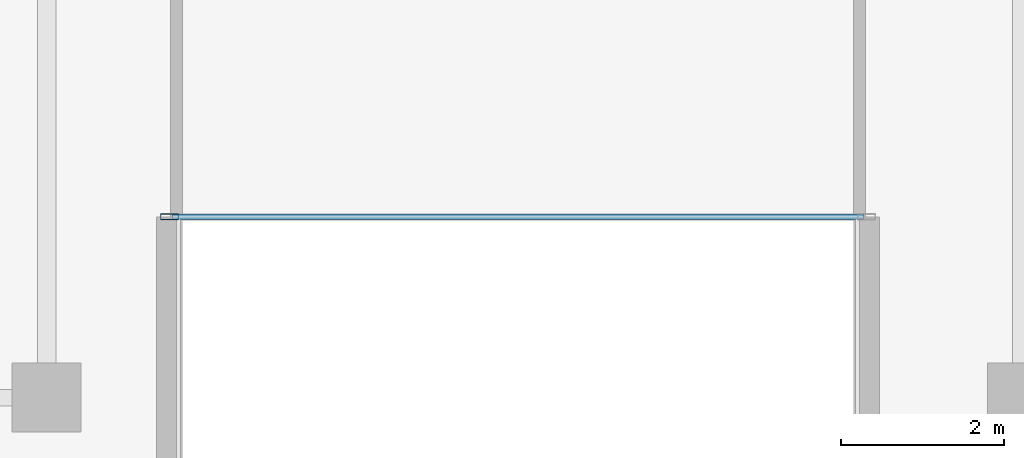
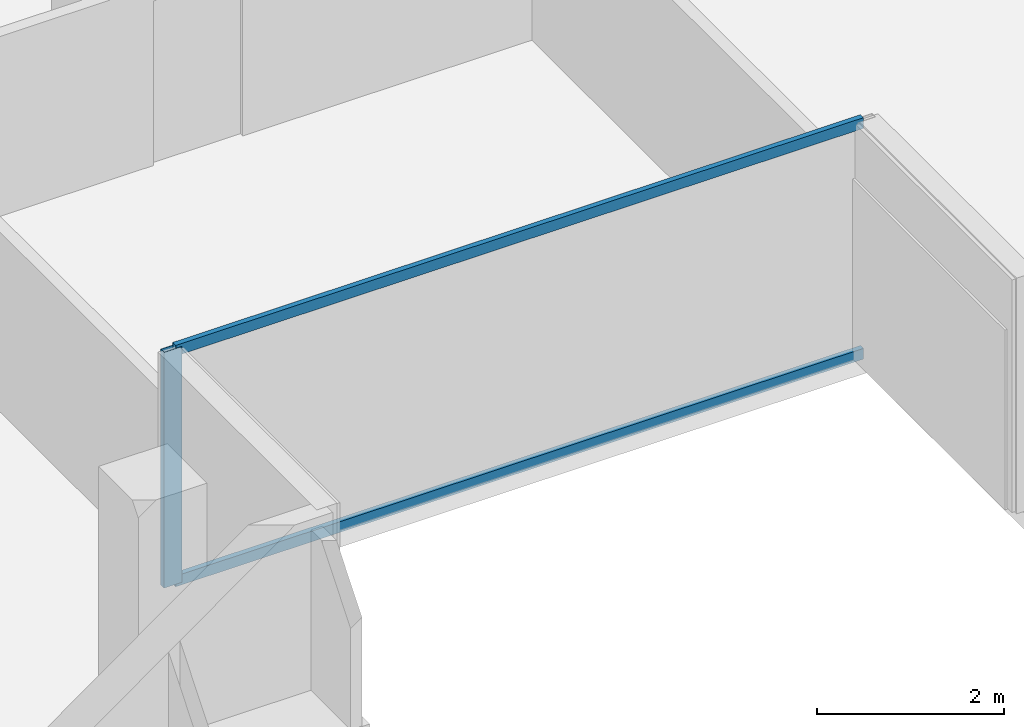
# One storey, part 2 of 19: 3 members, 1 element without a shape of its own.
"""IFC4 building model written with IfcOpenShell, lengths in metres."""

from ifc_helpers import new_model, si_unit, direction, frame, origin, origin_2d, place, context, subcontext, project, spatial, hollow_rectangle, extrude, material, layer, layer_set, material_profile, profile_set, type_object, element, aggregate, save


model = new_model("IFC4")

# Units and contexts
model_context = context("Model", 3, precision=1e-05, world=origin(), true_north=direction((0.0, 1.0)))
body_context = subcontext(model_context, "Body", "Model", "MODEL_VIEW")
ifc_project = project(units=[si_unit("LENGTHUNIT", "METRE"), si_unit("AREAUNIT", "SQUARE_METRE"), si_unit("VOLUMEUNIT", "CUBIC_METRE"), si_unit("PLANEANGLEUNIT", "RADIAN"), si_unit("MASSUNIT", "GRAM", prefix="KILO")], contexts=[model_context])

# Site, building, storey
site_placement = place(None, origin())
site = spatial("IfcSite", under=ifc_project, at=site_placement, CompositionType="ELEMENT")
building_placement = place(site_placement, origin())
building = spatial("IfcBuilding", under=site, at=building_placement, Name="Tanjung Sevakor Pilgrim Tower", CompositionType="ELEMENT")
storey_placement = place(building_placement, frame((0.0, 0.0, 155.10009765625)))
storey = spatial("IfcBuildingStorey", under=building, at=storey_placement, Name="L43", CompositionType="ELEMENT", Elevation=155.10009765625)

# Curtain wall, members
ifc_material_1 = material(Name="Aluminium 6063-T6 and Low-E Glass", Category="aluminium")
ifc_layer = layer(ifc_material_1, 0.179931640625)
ifc_layer_set = layer_set([ifc_layer], Name="CW-SYS-CLEFT")
curtain_wall_type = type_object("IfcCurtainWallType", Name="CW-SYS-CLEFT", PredefinedType="NOTDEFINED", material=ifc_layer_set)
curtain_wall_placement = place(storey_placement, origin())
curtain_wall = element("IfcCurtainWall", 1, at=curtain_wall_placement, inside=storey, type_object=curtain_wall_type, Name="L43 Curtain Wall CW-CLF-L43-2", PredefinedType="NOTDEFINED")
ifc_material_2 = material(Name="Aluminium 6063-T6", Category="aluminium")
ifc_material_profile_1 = material_profile(ifc_material_2, hollow_rectangle(XDim=0.074951171875, YDim=0.219970703125, WallThickness=0.0048828125, at=origin_2d()))
ifc_profile_set_1 = profile_set([ifc_material_profile_1], Name="Aluminium 6063-T6")
member_type_1 = type_object("IfcMemberType", Name="TYPE-CWM-2", PredefinedType="MULLION", material=ifc_profile_set_1)
member_1_placement = place(storey_placement, frame((43.512451171875, 15.425048828125, 0.0), z_axis=(0.0, 0.0, 1.0), x_axis=(0.0, 1.0, 0.0)))
member_1 = element("IfcMember", 2, at=member_1_placement, type_object=member_type_1, Name="CW-CLF mullion 1", PredefinedType="MULLION", context=body_context, shape_type="SweptSolid", body=[
    extrude(hollow_rectangle(XDim=0.074951171875, YDim=0.219970703125, WallThickness=0.0048828125, at=origin_2d()), origin(), (0.0, 0.0, 1.0), 3.079833984375),
])
ifc_material_3 = material(Name="Aluminium 6063-T6", Category="aluminium")
ifc_material_profile_2 = material_profile(ifc_material_3, hollow_rectangle(XDim=0.06494140625, YDim=0.139892578125, WallThickness=0.00390625, at=origin_2d()))
ifc_profile_set_2 = profile_set([ifc_material_profile_2], Name="Aluminium 6063-T6")
member_type_2 = type_object("IfcMemberType", Name="TYPE-CWT-1", PredefinedType="USERDEFINED", material=ifc_profile_set_2)
member_2_placement = place(storey_placement, frame((43.550048828125, 15.425048828125, 0.032470703125), z_axis=(1.0, 0.0, 0.0), x_axis=(0.0, 1.0, 0.0)))
member_2 = element("IfcMember", 3, at=member_2_placement, type_object=member_type_2, Name="CW-CLF transom 1.1", ObjectType="TRANSOM", PredefinedType="USERDEFINED", context=body_context, shape_type="SweptSolid", body=[
    extrude(hollow_rectangle(XDim=0.06494140625, YDim=0.139892578125, WallThickness=0.00390625, at=origin_2d()), origin(), (0.0, 0.0, 1.0), 8.5),
])
member_3_placement = place(storey_placement, frame((43.550048828125, 15.425048828125, 3.04736328125), z_axis=(1.0, 0.0, 0.0), x_axis=(0.0, 1.0, 0.0)))
member_3 = element("IfcMember", 4, at=member_3_placement, type_object=member_type_2, Name="CW-CLF transom 1.2", ObjectType="TRANSOM", PredefinedType="USERDEFINED", context=body_context, shape_type="SweptSolid", body=[
    extrude(hollow_rectangle(XDim=0.06494140625, YDim=0.139892578125, WallThickness=0.00390625, at=origin_2d()), origin(), (0.0, 0.0, 1.0), 8.5),
])
aggregate(curtain_wall, [member_1, member_2, member_3])

save(model, "model.ifc")
